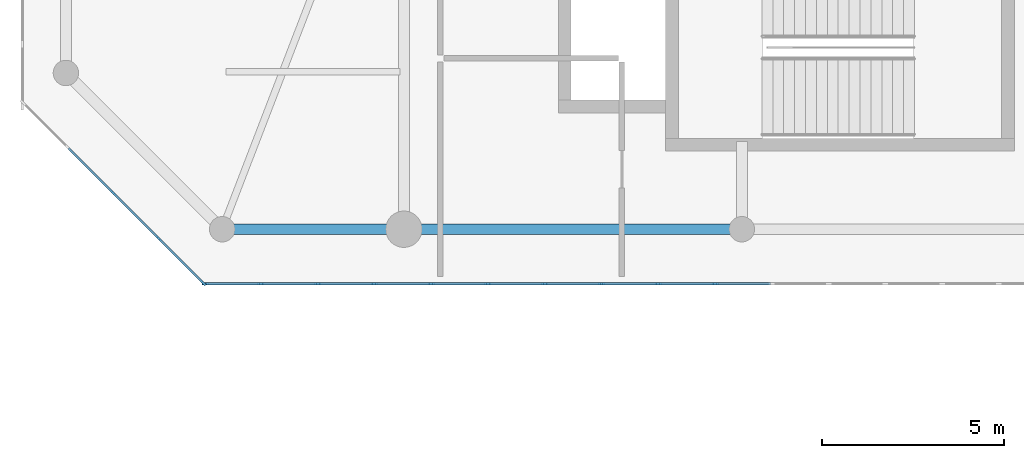
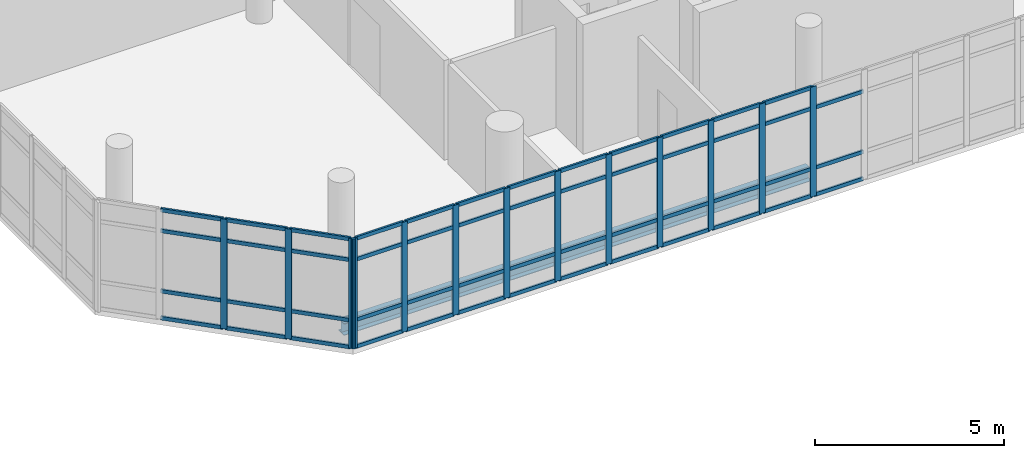
# One storey, part 26 of 125: 64 members, 2 beams, 2 elements without a shape of their own.
"""IFC4 building model written with IfcOpenShell, lengths in metres."""

from ifc_helpers import new_model, si_unit, direction, frame, origin, origin_2d, place, context, subcontext, project, spatial, rectangle, i_section, extrude, material, layer, layer_set, material_profile, profile_set, type_object, element, aggregate, save


model = new_model("IFC4")

# Units and contexts
model_context = context("Model", 3, precision=1e-05, world=origin(), true_north=direction((0.0, 1.0)))
body_context = subcontext(model_context, "Body", "Model", "MODEL_VIEW")
ifc_project = project(units=[si_unit("LENGTHUNIT", "METRE"), si_unit("AREAUNIT", "SQUARE_METRE"), si_unit("VOLUMEUNIT", "CUBIC_METRE"), si_unit("PLANEANGLEUNIT", "RADIAN"), si_unit("MASSUNIT", "GRAM", prefix="KILO")], contexts=[model_context])

# Site, building, storey
site_placement = place(None, origin())
site = spatial("IfcSite", under=ifc_project, at=site_placement, CompositionType="ELEMENT")
building_placement = place(site_placement, origin())
building = spatial("IfcBuilding", under=site, at=building_placement, Name="Sohan Crest Arena", CompositionType="ELEMENT")
storey_placement = place(building_placement, frame((0.0, 0.0, 9.0)))
storey = spatial("IfcBuildingStorey", under=building, at=storey_placement, Name="L02", CompositionType="ELEMENT", Elevation=9.0)

# Curtain wall, members
ifc_material_1 = material(Name="Thermally broken anodised aluminium", Category="aluminium")
ifc_layer = layer(ifc_material_1, 0.199951171875, Name="Thermally broken anodised aluminium")
ifc_layer_set = layer_set([ifc_layer], Name="Thermally broken anodised aluminium")
curtain_wall_type = type_object("IfcCurtainWallType", Name="ARC-CW02", PredefinedType="NOTDEFINED", material=ifc_layer_set)
curtain_wall_1_placement = place(storey_placement, origin())
curtain_wall_1 = element("IfcCurtainWall", 1, at=curtain_wall_1_placement, inside=storey, type_object=curtain_wall_type, Name="Unitised curtain wall CW-213", PredefinedType="NOTDEFINED")
ifc_material_profile_1 = material_profile(ifc_material_1, rectangle(XDim=0.06494140625, YDim=0.179931640625, at=origin_2d()), Name="ALU-MULL 65x180")
ifc_profile_set_1 = profile_set([ifc_material_profile_1], Name="Thermally broken anodised aluminium")
member_type_1 = type_object("IfcMemberType", Name="ARC-CW-ML02", PredefinedType="MULLION", material=ifc_profile_set_1)
member_1_placement = place(storey_placement, frame((19.032470703125, 50.0, 0.0), z_axis=(0.0, 0.0, 1.0), x_axis=(0.0, 1.0, 0.0)))
member_1 = element("IfcMember", 2, at=member_1_placement, type_object=member_type_1, Name="CW-213 mullion 1", PredefinedType="MULLION", context=body_context, shape_type="SweptSolid", body=[
    extrude(rectangle(XDim=0.06494140625, YDim=0.179931640625, at=origin_2d()), origin(), (0.0, 0.0, 1.0), 3.550048828125),
])
member_2_placement = place(storey_placement, frame((20.5625, 50.0, 0.0), z_axis=(0.0, 0.0, 1.0), x_axis=(0.0, 1.0, 0.0)))
member_2 = element("IfcMember", 3, at=member_2_placement, type_object=member_type_1, Name="CW-213 mullion 2", PredefinedType="MULLION", context=body_context, shape_type="SweptSolid", body=[
    extrude(rectangle(XDim=0.06494140625, YDim=0.179931640625, at=origin_2d()), origin(), (0.0, 0.0, 1.0), 3.550048828125),
])
member_3_placement = place(storey_placement, frame((22.125, 50.0, 0.0), z_axis=(0.0, 0.0, 1.0), x_axis=(0.0, 1.0, 0.0)))
member_3 = element("IfcMember", 4, at=member_3_placement, type_object=member_type_1, Name="CW-213 mullion 3", PredefinedType="MULLION", context=body_context, shape_type="SweptSolid", body=[
    extrude(rectangle(XDim=0.06494140625, YDim=0.179931640625, at=origin_2d()), origin(), (0.0, 0.0, 1.0), 3.550048828125),
])
member_4_placement = place(storey_placement, frame((23.6875, 50.0, 0.0), z_axis=(0.0, 0.0, 1.0), x_axis=(0.0, 1.0, 0.0)))
member_4 = element("IfcMember", 5, at=member_4_placement, type_object=member_type_1, Name="CW-213 mullion 4", PredefinedType="MULLION", context=body_context, shape_type="SweptSolid", body=[
    extrude(rectangle(XDim=0.06494140625, YDim=0.179931640625, at=origin_2d()), origin(), (0.0, 0.0, 1.0), 3.550048828125),
])
member_5_placement = place(storey_placement, frame((25.25, 50.0, 0.0), z_axis=(0.0, 0.0, 1.0), x_axis=(0.0, 1.0, 0.0)))
member_5 = element("IfcMember", 6, at=member_5_placement, type_object=member_type_1, Name="CW-213 mullion 5", PredefinedType="MULLION", context=body_context, shape_type="SweptSolid", body=[
    extrude(rectangle(XDim=0.06494140625, YDim=0.179931640625, at=origin_2d()), origin(), (0.0, 0.0, 1.0), 3.550048828125),
])
member_6_placement = place(storey_placement, frame((26.8125, 50.0, 0.0), z_axis=(0.0, 0.0, 1.0), x_axis=(0.0, 1.0, 0.0)))
member_6 = element("IfcMember", 7, at=member_6_placement, type_object=member_type_1, Name="CW-213 mullion 6", PredefinedType="MULLION", context=body_context, shape_type="SweptSolid", body=[
    extrude(rectangle(XDim=0.06494140625, YDim=0.179931640625, at=origin_2d()), origin(), (0.0, 0.0, 1.0), 3.550048828125),
])
member_7_placement = place(storey_placement, frame((28.375, 50.0, 0.0), z_axis=(0.0, 0.0, 1.0), x_axis=(0.0, 1.0, 0.0)))
member_7 = element("IfcMember", 8, at=member_7_placement, type_object=member_type_1, Name="CW-213 mullion 7", PredefinedType="MULLION", context=body_context, shape_type="SweptSolid", body=[
    extrude(rectangle(XDim=0.06494140625, YDim=0.179931640625, at=origin_2d()), origin(), (0.0, 0.0, 1.0), 3.550048828125),
])
member_8_placement = place(storey_placement, frame((29.9375, 50.0, 0.0), z_axis=(0.0, 0.0, 1.0), x_axis=(0.0, 1.0, 0.0)))
member_8 = element("IfcMember", 9, at=member_8_placement, type_object=member_type_1, Name="CW-213 mullion 8", PredefinedType="MULLION", context=body_context, shape_type="SweptSolid", body=[
    extrude(rectangle(XDim=0.06494140625, YDim=0.179931640625, at=origin_2d()), origin(), (0.0, 0.0, 1.0), 3.550048828125),
])
member_9_placement = place(storey_placement, frame((31.5, 50.0, 0.0), z_axis=(0.0, 0.0, 1.0), x_axis=(0.0, 1.0, 0.0)))
member_9 = element("IfcMember", 10, at=member_9_placement, type_object=member_type_1, Name="CW-213 mullion 9", PredefinedType="MULLION", context=body_context, shape_type="SweptSolid", body=[
    extrude(rectangle(XDim=0.06494140625, YDim=0.179931640625, at=origin_2d()), origin(), (0.0, 0.0, 1.0), 3.550048828125),
])
member_10_placement = place(storey_placement, frame((33.0625, 50.0, 0.0), z_axis=(0.0, 0.0, 1.0), x_axis=(0.0, 1.0, 0.0)))
member_10 = element("IfcMember", 11, at=member_10_placement, type_object=member_type_1, Name="CW-213 mullion 10", PredefinedType="MULLION", context=body_context, shape_type="SweptSolid", body=[
    extrude(rectangle(XDim=0.06494140625, YDim=0.179931640625, at=origin_2d()), origin(), (0.0, 0.0, 1.0), 3.550048828125),
])

curtain_wall_2_placement = place(storey_placement, origin())
curtain_wall_2 = element("IfcCurtainWall", 12, at=curtain_wall_2_placement, inside=storey, type_object=curtain_wall_type, Name="Unitised curtain wall CW-219", PredefinedType="NOTDEFINED")
member_11_placement = place(storey_placement, frame((16.5, 52.5, 0.0), z_axis=(0.0, 0.0, 1.0), x_axis=(0.707106781187, 0.707106781187, 0.0)))
member_11 = element("IfcMember", 13, at=member_11_placement, type_object=member_type_1, Name="CW-219 mullion 3", PredefinedType="MULLION", context=body_context, shape_type="SweptSolid", body=[
    extrude(rectangle(XDim=0.06494140625, YDim=0.179931640625, at=origin_2d()), origin(), (0.0, 0.0, 1.0), 3.550048828125),
])
member_12_placement = place(storey_placement, frame((17.75, 51.25, 0.0), z_axis=(0.0, 0.0, 1.0), x_axis=(0.707106781187, 0.707106781187, 0.0)))
member_12 = element("IfcMember", 14, at=member_12_placement, type_object=member_type_1, Name="CW-219 mullion 4", PredefinedType="MULLION", context=body_context, shape_type="SweptSolid", body=[
    extrude(rectangle(XDim=0.06494140625, YDim=0.179931640625, at=origin_2d()), origin(), (0.0, 0.0, 1.0), 3.550048828125),
])
member_13_placement = place(storey_placement, frame((18.97705078125, 50.02294921875, 0.0), z_axis=(0.0, 0.0, 1.0), x_axis=(0.707106781187, 0.707106781187, 0.0)))
member_13 = element("IfcMember", 15, at=member_13_placement, type_object=member_type_1, Name="CW-219 mullion 5", PredefinedType="MULLION", context=body_context, shape_type="SweptSolid", body=[
    extrude(rectangle(XDim=0.06494140625, YDim=0.179931640625, at=origin_2d()), origin(), (0.0, 0.0, 1.0), 3.550048828125),
])

# Member
ifc_material_profile_2 = material_profile(ifc_material_1, rectangle(XDim=0.06005859375, YDim=0.1201171875, at=origin_2d()), Name="ALU-TRAN 60x120")
ifc_profile_set_2 = profile_set([ifc_material_profile_2], Name="Thermally broken anodised aluminium")
member_type_2 = type_object("IfcMemberType", Name="ARC-CW-TR01", PredefinedType="USERDEFINED", material=ifc_profile_set_2)
member_14_placement = place(storey_placement, frame((19.06494140625, 50.0, 0.030029296875), z_axis=(1.0, 0.0, 0.0), x_axis=(0.0, 1.0, 0.0)))
member_14 = element("IfcMember", 16, at=member_14_placement, type_object=member_type_2, Name="CW-213 transom 1.1", ObjectType="TRANSOM", PredefinedType="USERDEFINED", context=body_context, shape_type="SweptSolid", body=[
    extrude(rectangle(XDim=0.06005859375, YDim=0.1201171875, at=origin_2d()), origin(), (0.0, 0.0, 1.0), 1.465087890625),
])

member_15_placement = place(storey_placement, frame((19.06494140625, 50.0, 0.89990234375), z_axis=(1.0, 0.0, 0.0), x_axis=(0.0, 1.0, 0.0)))
member_15 = element("IfcMember", 17, at=member_15_placement, type_object=member_type_2, Name="CW-213 transom 1.2", ObjectType="TRANSOM", PredefinedType="USERDEFINED", context=body_context, shape_type="SweptSolid", body=[
    extrude(rectangle(XDim=0.06005859375, YDim=0.1201171875, at=origin_2d()), origin(), (0.0, 0.0, 1.0), 1.465087890625),
])

member_16_placement = place(storey_placement, frame((19.06494140625, 50.0, 2.85009765625), z_axis=(1.0, 0.0, 0.0), x_axis=(0.0, 1.0, 0.0)))
member_16 = element("IfcMember", 18, at=member_16_placement, type_object=member_type_2, Name="CW-213 transom 1.3", ObjectType="TRANSOM", PredefinedType="USERDEFINED", context=body_context, shape_type="SweptSolid", body=[
    extrude(rectangle(XDim=0.06005859375, YDim=0.1201171875, at=origin_2d()), origin(), (0.0, 0.0, 1.0), 1.465087890625),
])

member_17_placement = place(storey_placement, frame((19.06494140625, 50.0, 3.52001953125), z_axis=(1.0, 0.0, 0.0), x_axis=(0.0, 1.0, 0.0)))
member_17 = element("IfcMember", 19, at=member_17_placement, type_object=member_type_2, Name="CW-213 transom 1.4", ObjectType="TRANSOM", PredefinedType="USERDEFINED", context=body_context, shape_type="SweptSolid", body=[
    extrude(rectangle(XDim=0.06005859375, YDim=0.1201171875, at=origin_2d()), origin(), (0.0, 0.0, 1.0), 1.465087890625),
])

member_18_placement = place(storey_placement, frame((20.594970703125, 50.0, 0.030029296875), z_axis=(1.0, 0.0, 0.0), x_axis=(0.0, 1.0, 0.0)))
member_18 = element("IfcMember", 20, at=member_18_placement, type_object=member_type_2, Name="CW-213 transom 2.1", ObjectType="TRANSOM", PredefinedType="USERDEFINED", context=body_context, shape_type="SweptSolid", body=[
    extrude(rectangle(XDim=0.06005859375, YDim=0.1201171875, at=origin_2d()), origin(), (0.0, 0.0, 1.0), 1.49755859375),
])

member_19_placement = place(storey_placement, frame((20.594970703125, 50.0, 0.89990234375), z_axis=(1.0, 0.0, 0.0), x_axis=(0.0, 1.0, 0.0)))
member_19 = element("IfcMember", 21, at=member_19_placement, type_object=member_type_2, Name="CW-213 transom 2.2", ObjectType="TRANSOM", PredefinedType="USERDEFINED", context=body_context, shape_type="SweptSolid", body=[
    extrude(rectangle(XDim=0.06005859375, YDim=0.1201171875, at=origin_2d()), origin(), (0.0, 0.0, 1.0), 1.49755859375),
])

member_20_placement = place(storey_placement, frame((20.594970703125, 50.0, 2.85009765625), z_axis=(1.0, 0.0, 0.0), x_axis=(0.0, 1.0, 0.0)))
member_20 = element("IfcMember", 22, at=member_20_placement, type_object=member_type_2, Name="CW-213 transom 2.3", ObjectType="TRANSOM", PredefinedType="USERDEFINED", context=body_context, shape_type="SweptSolid", body=[
    extrude(rectangle(XDim=0.06005859375, YDim=0.1201171875, at=origin_2d()), origin(), (0.0, 0.0, 1.0), 1.49755859375),
])

member_21_placement = place(storey_placement, frame((20.594970703125, 50.0, 3.52001953125), z_axis=(1.0, 0.0, 0.0), x_axis=(0.0, 1.0, 0.0)))
member_21 = element("IfcMember", 23, at=member_21_placement, type_object=member_type_2, Name="CW-213 transom 2.4", ObjectType="TRANSOM", PredefinedType="USERDEFINED", context=body_context, shape_type="SweptSolid", body=[
    extrude(rectangle(XDim=0.06005859375, YDim=0.1201171875, at=origin_2d()), origin(), (0.0, 0.0, 1.0), 1.49755859375),
])

member_22_placement = place(storey_placement, frame((22.157470703125, 50.0, 0.030029296875), z_axis=(1.0, 0.0, 0.0), x_axis=(0.0, 1.0, 0.0)))
member_22 = element("IfcMember", 24, at=member_22_placement, type_object=member_type_2, Name="CW-213 transom 3.1", ObjectType="TRANSOM", PredefinedType="USERDEFINED", context=body_context, shape_type="SweptSolid", body=[
    extrude(rectangle(XDim=0.06005859375, YDim=0.1201171875, at=origin_2d()), origin(), (0.0, 0.0, 1.0), 1.49755859375),
])

member_23_placement = place(storey_placement, frame((22.157470703125, 50.0, 0.89990234375), z_axis=(1.0, 0.0, 0.0), x_axis=(0.0, 1.0, 0.0)))
member_23 = element("IfcMember", 25, at=member_23_placement, type_object=member_type_2, Name="CW-213 transom 3.2", ObjectType="TRANSOM", PredefinedType="USERDEFINED", context=body_context, shape_type="SweptSolid", body=[
    extrude(rectangle(XDim=0.06005859375, YDim=0.1201171875, at=origin_2d()), origin(), (0.0, 0.0, 1.0), 1.49755859375),
])

member_24_placement = place(storey_placement, frame((22.157470703125, 50.0, 2.85009765625), z_axis=(1.0, 0.0, 0.0), x_axis=(0.0, 1.0, 0.0)))
member_24 = element("IfcMember", 26, at=member_24_placement, type_object=member_type_2, Name="CW-213 transom 3.3", ObjectType="TRANSOM", PredefinedType="USERDEFINED", context=body_context, shape_type="SweptSolid", body=[
    extrude(rectangle(XDim=0.06005859375, YDim=0.1201171875, at=origin_2d()), origin(), (0.0, 0.0, 1.0), 1.49755859375),
])

member_25_placement = place(storey_placement, frame((22.157470703125, 50.0, 3.52001953125), z_axis=(1.0, 0.0, 0.0), x_axis=(0.0, 1.0, 0.0)))
member_25 = element("IfcMember", 27, at=member_25_placement, type_object=member_type_2, Name="CW-213 transom 3.4", ObjectType="TRANSOM", PredefinedType="USERDEFINED", context=body_context, shape_type="SweptSolid", body=[
    extrude(rectangle(XDim=0.06005859375, YDim=0.1201171875, at=origin_2d()), origin(), (0.0, 0.0, 1.0), 1.49755859375),
])

member_26_placement = place(storey_placement, frame((23.719970703125, 50.0, 0.030029296875), z_axis=(1.0, 0.0, 0.0), x_axis=(0.0, 1.0, 0.0)))
member_26 = element("IfcMember", 28, at=member_26_placement, type_object=member_type_2, Name="CW-213 transom 4.1", ObjectType="TRANSOM", PredefinedType="USERDEFINED", context=body_context, shape_type="SweptSolid", body=[
    extrude(rectangle(XDim=0.06005859375, YDim=0.1201171875, at=origin_2d()), origin(), (0.0, 0.0, 1.0), 1.49755859375),
])

member_27_placement = place(storey_placement, frame((23.719970703125, 50.0, 0.89990234375), z_axis=(1.0, 0.0, 0.0), x_axis=(0.0, 1.0, 0.0)))
member_27 = element("IfcMember", 29, at=member_27_placement, type_object=member_type_2, Name="CW-213 transom 4.2", ObjectType="TRANSOM", PredefinedType="USERDEFINED", context=body_context, shape_type="SweptSolid", body=[
    extrude(rectangle(XDim=0.06005859375, YDim=0.1201171875, at=origin_2d()), origin(), (0.0, 0.0, 1.0), 1.49755859375),
])

member_28_placement = place(storey_placement, frame((23.719970703125, 50.0, 2.85009765625), z_axis=(1.0, 0.0, 0.0), x_axis=(0.0, 1.0, 0.0)))
member_28 = element("IfcMember", 30, at=member_28_placement, type_object=member_type_2, Name="CW-213 transom 4.3", ObjectType="TRANSOM", PredefinedType="USERDEFINED", context=body_context, shape_type="SweptSolid", body=[
    extrude(rectangle(XDim=0.06005859375, YDim=0.1201171875, at=origin_2d()), origin(), (0.0, 0.0, 1.0), 1.49755859375),
])

member_29_placement = place(storey_placement, frame((23.719970703125, 50.0, 3.52001953125), z_axis=(1.0, 0.0, 0.0), x_axis=(0.0, 1.0, 0.0)))
member_29 = element("IfcMember", 31, at=member_29_placement, type_object=member_type_2, Name="CW-213 transom 4.4", ObjectType="TRANSOM", PredefinedType="USERDEFINED", context=body_context, shape_type="SweptSolid", body=[
    extrude(rectangle(XDim=0.06005859375, YDim=0.1201171875, at=origin_2d()), origin(), (0.0, 0.0, 1.0), 1.49755859375),
])

member_30_placement = place(storey_placement, frame((25.282470703125, 50.0, 0.030029296875), z_axis=(1.0, 0.0, 0.0), x_axis=(0.0, 1.0, 0.0)))
member_30 = element("IfcMember", 32, at=member_30_placement, type_object=member_type_2, Name="CW-213 transom 5.1", ObjectType="TRANSOM", PredefinedType="USERDEFINED", context=body_context, shape_type="SweptSolid", body=[
    extrude(rectangle(XDim=0.06005859375, YDim=0.1201171875, at=origin_2d()), origin(), (0.0, 0.0, 1.0), 1.49755859375),
])

member_31_placement = place(storey_placement, frame((25.282470703125, 50.0, 0.89990234375), z_axis=(1.0, 0.0, 0.0), x_axis=(0.0, 1.0, 0.0)))
member_31 = element("IfcMember", 33, at=member_31_placement, type_object=member_type_2, Name="CW-213 transom 5.2", ObjectType="TRANSOM", PredefinedType="USERDEFINED", context=body_context, shape_type="SweptSolid", body=[
    extrude(rectangle(XDim=0.06005859375, YDim=0.1201171875, at=origin_2d()), origin(), (0.0, 0.0, 1.0), 1.49755859375),
])

member_32_placement = place(storey_placement, frame((25.282470703125, 50.0, 2.85009765625), z_axis=(1.0, 0.0, 0.0), x_axis=(0.0, 1.0, 0.0)))
member_32 = element("IfcMember", 34, at=member_32_placement, type_object=member_type_2, Name="CW-213 transom 5.3", ObjectType="TRANSOM", PredefinedType="USERDEFINED", context=body_context, shape_type="SweptSolid", body=[
    extrude(rectangle(XDim=0.06005859375, YDim=0.1201171875, at=origin_2d()), origin(), (0.0, 0.0, 1.0), 1.49755859375),
])

member_33_placement = place(storey_placement, frame((25.282470703125, 50.0, 3.52001953125), z_axis=(1.0, 0.0, 0.0), x_axis=(0.0, 1.0, 0.0)))
member_33 = element("IfcMember", 35, at=member_33_placement, type_object=member_type_2, Name="CW-213 transom 5.4", ObjectType="TRANSOM", PredefinedType="USERDEFINED", context=body_context, shape_type="SweptSolid", body=[
    extrude(rectangle(XDim=0.06005859375, YDim=0.1201171875, at=origin_2d()), origin(), (0.0, 0.0, 1.0), 1.49755859375),
])

member_34_placement = place(storey_placement, frame((26.844970703125, 50.0, 0.030029296875), z_axis=(1.0, 0.0, 0.0), x_axis=(0.0, 1.0, 0.0)))
member_34 = element("IfcMember", 36, at=member_34_placement, type_object=member_type_2, Name="CW-213 transom 6.1", ObjectType="TRANSOM", PredefinedType="USERDEFINED", context=body_context, shape_type="SweptSolid", body=[
    extrude(rectangle(XDim=0.06005859375, YDim=0.1201171875, at=origin_2d()), origin(), (0.0, 0.0, 1.0), 1.49755859375),
])

member_35_placement = place(storey_placement, frame((26.844970703125, 50.0, 0.89990234375), z_axis=(1.0, 0.0, 0.0), x_axis=(0.0, 1.0, 0.0)))
member_35 = element("IfcMember", 37, at=member_35_placement, type_object=member_type_2, Name="CW-213 transom 6.2", ObjectType="TRANSOM", PredefinedType="USERDEFINED", context=body_context, shape_type="SweptSolid", body=[
    extrude(rectangle(XDim=0.06005859375, YDim=0.1201171875, at=origin_2d()), origin(), (0.0, 0.0, 1.0), 1.49755859375),
])

member_36_placement = place(storey_placement, frame((26.844970703125, 50.0, 2.85009765625), z_axis=(1.0, 0.0, 0.0), x_axis=(0.0, 1.0, 0.0)))
member_36 = element("IfcMember", 38, at=member_36_placement, type_object=member_type_2, Name="CW-213 transom 6.3", ObjectType="TRANSOM", PredefinedType="USERDEFINED", context=body_context, shape_type="SweptSolid", body=[
    extrude(rectangle(XDim=0.06005859375, YDim=0.1201171875, at=origin_2d()), origin(), (0.0, 0.0, 1.0), 1.49755859375),
])

member_37_placement = place(storey_placement, frame((26.844970703125, 50.0, 3.52001953125), z_axis=(1.0, 0.0, 0.0), x_axis=(0.0, 1.0, 0.0)))
member_37 = element("IfcMember", 39, at=member_37_placement, type_object=member_type_2, Name="CW-213 transom 6.4", ObjectType="TRANSOM", PredefinedType="USERDEFINED", context=body_context, shape_type="SweptSolid", body=[
    extrude(rectangle(XDim=0.06005859375, YDim=0.1201171875, at=origin_2d()), origin(), (0.0, 0.0, 1.0), 1.49755859375),
])

member_38_placement = place(storey_placement, frame((28.407470703125, 50.0, 0.030029296875), z_axis=(1.0, 0.0, 0.0), x_axis=(0.0, 1.0, 0.0)))
member_38 = element("IfcMember", 40, at=member_38_placement, type_object=member_type_2, Name="CW-213 transom 7.1", ObjectType="TRANSOM", PredefinedType="USERDEFINED", context=body_context, shape_type="SweptSolid", body=[
    extrude(rectangle(XDim=0.06005859375, YDim=0.1201171875, at=origin_2d()), origin(), (0.0, 0.0, 1.0), 1.49755859375),
])

member_39_placement = place(storey_placement, frame((28.407470703125, 50.0, 0.89990234375), z_axis=(1.0, 0.0, 0.0), x_axis=(0.0, 1.0, 0.0)))
member_39 = element("IfcMember", 41, at=member_39_placement, type_object=member_type_2, Name="CW-213 transom 7.2", ObjectType="TRANSOM", PredefinedType="USERDEFINED", context=body_context, shape_type="SweptSolid", body=[
    extrude(rectangle(XDim=0.06005859375, YDim=0.1201171875, at=origin_2d()), origin(), (0.0, 0.0, 1.0), 1.49755859375),
])

member_40_placement = place(storey_placement, frame((28.407470703125, 50.0, 2.85009765625), z_axis=(1.0, 0.0, 0.0), x_axis=(0.0, 1.0, 0.0)))
member_40 = element("IfcMember", 42, at=member_40_placement, type_object=member_type_2, Name="CW-213 transom 7.3", ObjectType="TRANSOM", PredefinedType="USERDEFINED", context=body_context, shape_type="SweptSolid", body=[
    extrude(rectangle(XDim=0.06005859375, YDim=0.1201171875, at=origin_2d()), origin(), (0.0, 0.0, 1.0), 1.49755859375),
])

member_41_placement = place(storey_placement, frame((28.407470703125, 50.0, 3.52001953125), z_axis=(1.0, 0.0, 0.0), x_axis=(0.0, 1.0, 0.0)))
member_41 = element("IfcMember", 43, at=member_41_placement, type_object=member_type_2, Name="CW-213 transom 7.4", ObjectType="TRANSOM", PredefinedType="USERDEFINED", context=body_context, shape_type="SweptSolid", body=[
    extrude(rectangle(XDim=0.06005859375, YDim=0.1201171875, at=origin_2d()), origin(), (0.0, 0.0, 1.0), 1.49755859375),
])

member_42_placement = place(storey_placement, frame((29.969970703125, 50.0, 0.030029296875), z_axis=(1.0, 0.0, 0.0), x_axis=(0.0, 1.0, 0.0)))
member_42 = element("IfcMember", 44, at=member_42_placement, type_object=member_type_2, Name="CW-213 transom 8.1", ObjectType="TRANSOM", PredefinedType="USERDEFINED", context=body_context, shape_type="SweptSolid", body=[
    extrude(rectangle(XDim=0.06005859375, YDim=0.1201171875, at=origin_2d()), origin(), (0.0, 0.0, 1.0), 1.49755859375),
])

member_43_placement = place(storey_placement, frame((29.969970703125, 50.0, 0.89990234375), z_axis=(1.0, 0.0, 0.0), x_axis=(0.0, 1.0, 0.0)))
member_43 = element("IfcMember", 45, at=member_43_placement, type_object=member_type_2, Name="CW-213 transom 8.2", ObjectType="TRANSOM", PredefinedType="USERDEFINED", context=body_context, shape_type="SweptSolid", body=[
    extrude(rectangle(XDim=0.06005859375, YDim=0.1201171875, at=origin_2d()), origin(), (0.0, 0.0, 1.0), 1.49755859375),
])

member_44_placement = place(storey_placement, frame((29.969970703125, 50.0, 2.85009765625), z_axis=(1.0, 0.0, 0.0), x_axis=(0.0, 1.0, 0.0)))
member_44 = element("IfcMember", 46, at=member_44_placement, type_object=member_type_2, Name="CW-213 transom 8.3", ObjectType="TRANSOM", PredefinedType="USERDEFINED", context=body_context, shape_type="SweptSolid", body=[
    extrude(rectangle(XDim=0.06005859375, YDim=0.1201171875, at=origin_2d()), origin(), (0.0, 0.0, 1.0), 1.49755859375),
])

member_45_placement = place(storey_placement, frame((29.969970703125, 50.0, 3.52001953125), z_axis=(1.0, 0.0, 0.0), x_axis=(0.0, 1.0, 0.0)))
member_45 = element("IfcMember", 47, at=member_45_placement, type_object=member_type_2, Name="CW-213 transom 8.4", ObjectType="TRANSOM", PredefinedType="USERDEFINED", context=body_context, shape_type="SweptSolid", body=[
    extrude(rectangle(XDim=0.06005859375, YDim=0.1201171875, at=origin_2d()), origin(), (0.0, 0.0, 1.0), 1.49755859375),
])

member_46_placement = place(storey_placement, frame((31.532470703125, 50.0, 0.030029296875), z_axis=(1.0, 0.0, 0.0), x_axis=(0.0, 1.0, 0.0)))
member_46 = element("IfcMember", 48, at=member_46_placement, type_object=member_type_2, Name="CW-213 transom 9.1", ObjectType="TRANSOM", PredefinedType="USERDEFINED", context=body_context, shape_type="SweptSolid", body=[
    extrude(rectangle(XDim=0.06005859375, YDim=0.1201171875, at=origin_2d()), origin(), (0.0, 0.0, 1.0), 1.49755859375),
])

member_47_placement = place(storey_placement, frame((31.532470703125, 50.0, 0.89990234375), z_axis=(1.0, 0.0, 0.0), x_axis=(0.0, 1.0, 0.0)))
member_47 = element("IfcMember", 49, at=member_47_placement, type_object=member_type_2, Name="CW-213 transom 9.2", ObjectType="TRANSOM", PredefinedType="USERDEFINED", context=body_context, shape_type="SweptSolid", body=[
    extrude(rectangle(XDim=0.06005859375, YDim=0.1201171875, at=origin_2d()), origin(), (0.0, 0.0, 1.0), 1.49755859375),
])

member_48_placement = place(storey_placement, frame((31.532470703125, 50.0, 2.85009765625), z_axis=(1.0, 0.0, 0.0), x_axis=(0.0, 1.0, 0.0)))
member_48 = element("IfcMember", 50, at=member_48_placement, type_object=member_type_2, Name="CW-213 transom 9.3", ObjectType="TRANSOM", PredefinedType="USERDEFINED", context=body_context, shape_type="SweptSolid", body=[
    extrude(rectangle(XDim=0.06005859375, YDim=0.1201171875, at=origin_2d()), origin(), (0.0, 0.0, 1.0), 1.49755859375),
])

member_49_placement = place(storey_placement, frame((31.532470703125, 50.0, 3.52001953125), z_axis=(1.0, 0.0, 0.0), x_axis=(0.0, 1.0, 0.0)))
member_49 = element("IfcMember", 51, at=member_49_placement, type_object=member_type_2, Name="CW-213 transom 9.4", ObjectType="TRANSOM", PredefinedType="USERDEFINED", context=body_context, shape_type="SweptSolid", body=[
    extrude(rectangle(XDim=0.06005859375, YDim=0.1201171875, at=origin_2d()), origin(), (0.0, 0.0, 1.0), 1.49755859375),
])

member_50_placement = place(storey_placement, frame((33.094970703125, 50.0, 0.030029296875), z_axis=(1.0, 0.0, 0.0), x_axis=(0.0, 1.0, 0.0)))
member_50 = element("IfcMember", 52, at=member_50_placement, type_object=member_type_2, Name="CW-213 transom 10.1", ObjectType="TRANSOM", PredefinedType="USERDEFINED", context=body_context, shape_type="SweptSolid", body=[
    extrude(rectangle(XDim=0.06005859375, YDim=0.1201171875, at=origin_2d()), origin(), (0.0, 0.0, 1.0), 1.49755859375),
])

member_51_placement = place(storey_placement, frame((33.094970703125, 50.0, 0.89990234375), z_axis=(1.0, 0.0, 0.0), x_axis=(0.0, 1.0, 0.0)))
member_51 = element("IfcMember", 53, at=member_51_placement, type_object=member_type_2, Name="CW-213 transom 10.2", ObjectType="TRANSOM", PredefinedType="USERDEFINED", context=body_context, shape_type="SweptSolid", body=[
    extrude(rectangle(XDim=0.06005859375, YDim=0.1201171875, at=origin_2d()), origin(), (0.0, 0.0, 1.0), 1.49755859375),
])

member_52_placement = place(storey_placement, frame((33.094970703125, 50.0, 2.85009765625), z_axis=(1.0, 0.0, 0.0), x_axis=(0.0, 1.0, 0.0)))
member_52 = element("IfcMember", 54, at=member_52_placement, type_object=member_type_2, Name="CW-213 transom 10.3", ObjectType="TRANSOM", PredefinedType="USERDEFINED", context=body_context, shape_type="SweptSolid", body=[
    extrude(rectangle(XDim=0.06005859375, YDim=0.1201171875, at=origin_2d()), origin(), (0.0, 0.0, 1.0), 1.49755859375),
])

aggregate(curtain_wall_1, [member_1, member_2, member_3, member_4, member_5, member_6, member_7, member_8, member_9, member_10, member_14, member_15, member_16, member_17, member_18, member_19, member_20, member_21, member_22, member_23, member_24, member_25, member_26, member_27, member_28, member_29, member_30, member_31, member_32, member_33, member_34, member_35, member_36, member_37, member_38, member_39, member_40, member_41, member_42, member_43, member_44, member_45, member_46, member_47, member_48, member_49, member_50, member_51, member_52])

member_53_placement = place(storey_placement, frame((15.27294921875, 53.72705078125, 0.030029296875), z_axis=(0.707106781187, -0.707106781187, 0.0), x_axis=(0.707106781187, 0.707106781187, 0.0)))
member_53 = element("IfcMember", 55, at=member_53_placement, type_object=member_type_2, Name="CW-219 transom 2.1", ObjectType="TRANSOM", PredefinedType="USERDEFINED", context=body_context, shape_type="SweptSolid", body=[
    extrude(rectangle(XDim=0.06005859375, YDim=0.1201171875, at=origin_2d()), origin(), (0.0, 0.0, 1.0), 1.702880859375),
])

member_54_placement = place(storey_placement, frame((15.27294921875, 53.72705078125, 0.89990234375), z_axis=(0.707106781187, -0.707106781187, 0.0), x_axis=(0.707106781187, 0.707106781187, 0.0)))
member_54 = element("IfcMember", 56, at=member_54_placement, type_object=member_type_2, Name="CW-219 transom 2.2", ObjectType="TRANSOM", PredefinedType="USERDEFINED", context=body_context, shape_type="SweptSolid", body=[
    extrude(rectangle(XDim=0.06005859375, YDim=0.1201171875, at=origin_2d()), origin(), (0.0, 0.0, 1.0), 1.702880859375),
])

member_55_placement = place(storey_placement, frame((15.27294921875, 53.72705078125, 2.85009765625), z_axis=(0.707106781187, -0.707106781187, 0.0), x_axis=(0.707106781187, 0.707106781187, 0.0)))
member_55 = element("IfcMember", 57, at=member_55_placement, type_object=member_type_2, Name="CW-219 transom 2.3", ObjectType="TRANSOM", PredefinedType="USERDEFINED", context=body_context, shape_type="SweptSolid", body=[
    extrude(rectangle(XDim=0.06005859375, YDim=0.1201171875, at=origin_2d()), origin(), (0.0, 0.0, 1.0), 1.702880859375),
])

member_56_placement = place(storey_placement, frame((15.27294921875, 53.72705078125, 3.52001953125), z_axis=(0.707106781187, -0.707106781187, 0.0), x_axis=(0.707106781187, 0.707106781187, 0.0)))
member_56 = element("IfcMember", 58, at=member_56_placement, type_object=member_type_2, Name="CW-219 transom 2.4", ObjectType="TRANSOM", PredefinedType="USERDEFINED", context=body_context, shape_type="SweptSolid", body=[
    extrude(rectangle(XDim=0.06005859375, YDim=0.1201171875, at=origin_2d()), origin(), (0.0, 0.0, 1.0), 1.702880859375),
])

member_57_placement = place(storey_placement, frame((16.52294921875, 52.47705078125, 0.030029296875), z_axis=(0.707106781187, -0.707106781187, 0.0), x_axis=(0.707106781187, 0.707106781187, 0.0)))
member_57 = element("IfcMember", 59, at=member_57_placement, type_object=member_type_2, Name="CW-219 transom 3.1", ObjectType="TRANSOM", PredefinedType="USERDEFINED", context=body_context, shape_type="SweptSolid", body=[
    extrude(rectangle(XDim=0.06005859375, YDim=0.1201171875, at=origin_2d()), origin(), (0.0, 0.0, 1.0), 1.702880859375),
])

member_58_placement = place(storey_placement, frame((16.52294921875, 52.47705078125, 0.89990234375), z_axis=(0.707106781187, -0.707106781187, 0.0), x_axis=(0.707106781187, 0.707106781187, 0.0)))
member_58 = element("IfcMember", 60, at=member_58_placement, type_object=member_type_2, Name="CW-219 transom 3.2", ObjectType="TRANSOM", PredefinedType="USERDEFINED", context=body_context, shape_type="SweptSolid", body=[
    extrude(rectangle(XDim=0.06005859375, YDim=0.1201171875, at=origin_2d()), origin(), (0.0, 0.0, 1.0), 1.702880859375),
])

member_59_placement = place(storey_placement, frame((16.52294921875, 52.47705078125, 2.85009765625), z_axis=(0.707106781187, -0.707106781187, 0.0), x_axis=(0.707106781187, 0.707106781187, 0.0)))
member_59 = element("IfcMember", 61, at=member_59_placement, type_object=member_type_2, Name="CW-219 transom 3.3", ObjectType="TRANSOM", PredefinedType="USERDEFINED", context=body_context, shape_type="SweptSolid", body=[
    extrude(rectangle(XDim=0.06005859375, YDim=0.1201171875, at=origin_2d()), origin(), (0.0, 0.0, 1.0), 1.702880859375),
])

member_60_placement = place(storey_placement, frame((16.52294921875, 52.47705078125, 3.52001953125), z_axis=(0.707106781187, -0.707106781187, 0.0), x_axis=(0.707106781187, 0.707106781187, 0.0)))
member_60 = element("IfcMember", 62, at=member_60_placement, type_object=member_type_2, Name="CW-219 transom 3.4", ObjectType="TRANSOM", PredefinedType="USERDEFINED", context=body_context, shape_type="SweptSolid", body=[
    extrude(rectangle(XDim=0.06005859375, YDim=0.1201171875, at=origin_2d()), origin(), (0.0, 0.0, 1.0), 1.702880859375),
])

member_61_placement = place(storey_placement, frame((17.77294921875, 51.22705078125, 0.030029296875), z_axis=(0.707106781187, -0.707106781187, 0.0), x_axis=(0.707106781187, 0.707106781187, 0.0)))
member_61 = element("IfcMember", 63, at=member_61_placement, type_object=member_type_2, Name="CW-219 transom 4.1", ObjectType="TRANSOM", PredefinedType="USERDEFINED", context=body_context, shape_type="SweptSolid", body=[
    extrude(rectangle(XDim=0.06005859375, YDim=0.1201171875, at=origin_2d()), origin(), (0.0, 0.0, 1.0), 1.67041015625),
])

member_62_placement = place(storey_placement, frame((17.77294921875, 51.22705078125, 0.89990234375), z_axis=(0.707106781187, -0.707106781187, 0.0), x_axis=(0.707106781187, 0.707106781187, 0.0)))
member_62 = element("IfcMember", 64, at=member_62_placement, type_object=member_type_2, Name="CW-219 transom 4.2", ObjectType="TRANSOM", PredefinedType="USERDEFINED", context=body_context, shape_type="SweptSolid", body=[
    extrude(rectangle(XDim=0.06005859375, YDim=0.1201171875, at=origin_2d()), origin(), (0.0, 0.0, 1.0), 1.67041015625),
])

member_63_placement = place(storey_placement, frame((17.77294921875, 51.22705078125, 2.85009765625), z_axis=(0.707106781187, -0.707106781187, 0.0), x_axis=(0.707106781187, 0.707106781187, 0.0)))
member_63 = element("IfcMember", 65, at=member_63_placement, type_object=member_type_2, Name="CW-219 transom 4.3", ObjectType="TRANSOM", PredefinedType="USERDEFINED", context=body_context, shape_type="SweptSolid", body=[
    extrude(rectangle(XDim=0.06005859375, YDim=0.1201171875, at=origin_2d()), origin(), (0.0, 0.0, 1.0), 1.67041015625),
])

member_64_placement = place(storey_placement, frame((17.77294921875, 51.22705078125, 3.52001953125), z_axis=(0.707106781187, -0.707106781187, 0.0), x_axis=(0.707106781187, 0.707106781187, 0.0)))
member_64 = element("IfcMember", 66, at=member_64_placement, type_object=member_type_2, Name="CW-219 transom 4.4", ObjectType="TRANSOM", PredefinedType="USERDEFINED", context=body_context, shape_type="SweptSolid", body=[
    extrude(rectangle(XDim=0.06005859375, YDim=0.1201171875, at=origin_2d()), origin(), (0.0, 0.0, 1.0), 1.67041015625),
])

aggregate(curtain_wall_2, [member_11, member_12, member_13, member_53, member_54, member_55, member_56, member_57, member_58, member_59, member_60, member_61, member_62, member_63, member_64])

# Beams
ifc_material_2 = material(Name="Steel S355", Category="steel")
ifc_material_profile_3 = material_profile(ifc_material_2, i_section(OverallWidth=0.300048828125, OverallDepth=0.389892578125, WebThickness=0.010986328125, FlangeThickness=0.01904296875, at=origin_2d()), Name="HEA 400")
ifc_profile_set_3 = profile_set([ifc_material_profile_3], Name="Steel S355")
beam_type = type_object("IfcBeamType", Name="STR-BM-B09", PredefinedType="BEAM", material=ifc_profile_set_3)
beam_1_placement = place(storey_placement, frame((19.5, 51.5, -0.405029296875), z_axis=(1.0, 0.0, 0.0), x_axis=(0.0, 1.0, 0.0)))
element("IfcBeam", 67, at=beam_1_placement, inside=storey, type_object=beam_type, Name="Structural beam G-L02-2052", PredefinedType="BEAM", context=body_context, shape_type="SweptSolid", body=[
    extrude(i_section(OverallWidth=0.300048828125, OverallDepth=0.389892578125, WebThickness=0.010986328125, FlangeThickness=0.01904296875, at=origin_2d()), origin(), (0.0, 0.0, 1.0), 5.0),
])
beam_2_placement = place(storey_placement, frame((24.5, 51.5, -0.405029296875), z_axis=(1.0, 0.0, 0.0), x_axis=(0.0, 1.0, 0.0)))
element("IfcBeam", 68, at=beam_2_placement, inside=storey, type_object=beam_type, Name="Structural beam G-L02-2055", PredefinedType="BEAM", context=body_context, shape_type="SweptSolid", body=[
    extrude(i_section(OverallWidth=0.300048828125, OverallDepth=0.389892578125, WebThickness=0.010986328125, FlangeThickness=0.01904296875, at=origin_2d()), origin(), (0.0, 0.0, 1.0), 9.300048828125),
])

save(model, "model.ifc")
